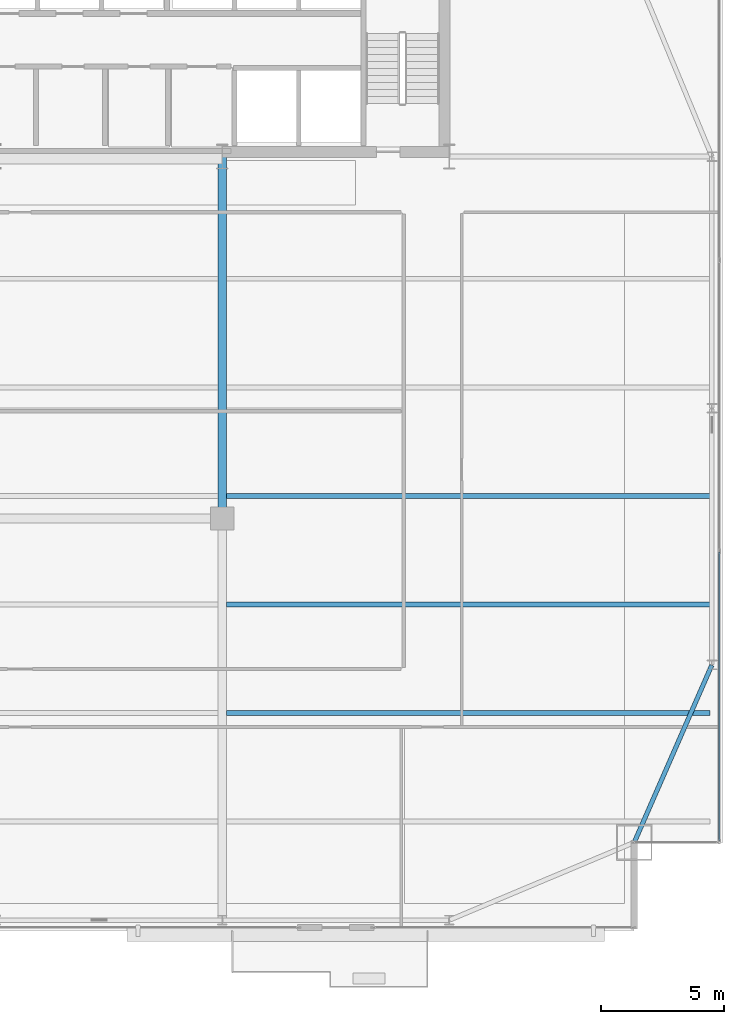
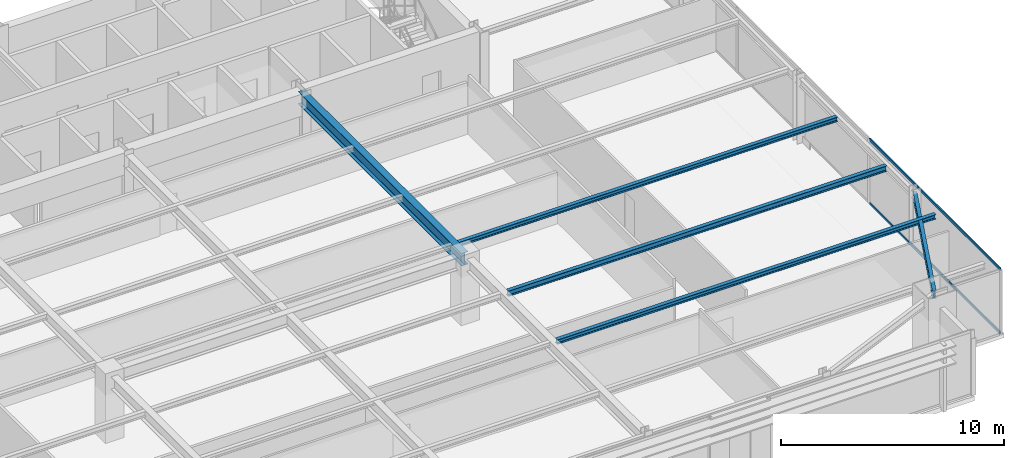
# One storey, part 17 of 34: 5 beams, 2 members, 1 element without a shape of its own.
"""IFC4 building model written with IfcOpenShell, lengths in metres."""

from ifc_helpers import new_model, si_unit, direction, frame, origin, origin_2d, place, context, subcontext, project, spatial, hollow_rectangle, i_section, extrude, source, transform, mapped, material, layer, layer_set, material_profile, profile_set, type_object, type_shapes, element, aggregate, save


model = new_model("IFC4")

# Units and contexts
model_context = context("Model", 3, precision=1e-05, world=origin(), true_north=direction((0.0, 1.0)))
body_context = subcontext(model_context, "Body", "Model", "MODEL_VIEW")
ifc_project = project(units=[si_unit("LENGTHUNIT", "METRE"), si_unit("AREAUNIT", "SQUARE_METRE"), si_unit("VOLUMEUNIT", "CUBIC_METRE"), si_unit("PLANEANGLEUNIT", "RADIAN"), si_unit("MASSUNIT", "GRAM", prefix="KILO")], contexts=[model_context])

# Site, building, storey
site_placement = place(None, origin())
site = spatial("IfcSite", under=ifc_project, at=site_placement, CompositionType="ELEMENT")
building_placement = place(site_placement, origin())
building = spatial("IfcBuilding", under=site, at=building_placement, Name="Varnel Quay Broadcast Tower", CompositionType="ELEMENT")
storey_placement = place(building_placement, frame((0.0, 0.0, 110.60009765625)))
storey = spatial("IfcBuildingStorey", under=building, at=storey_placement, Name="L26", CompositionType="ELEMENT", Elevation=110.60009765625)

# Beams
ifc_material_1 = material(Name="Structural Steel CSA G40.21 350W", Category="steel")
ifc_material_profile_1 = material_profile(ifc_material_1, i_section(OverallWidth=0.180908203125, OverallDepth=0.4169921875, WebThickness=0.010986328125, FlangeThickness=0.018310546875, FilletRadius=0.011962890625, at=origin_2d()), Name="W410X85")
ifc_profile_set_1 = profile_set([ifc_material_profile_1], Name="Structural Steel CSA G40.21 350W")
beam_type_1 = type_object("IfcBeamType", Name="Beam_W410X85", PredefinedType="SPANDREL", material=ifc_profile_set_1)
shared_shape_1 = source(origin(), body_context, "Body", "SweptSolid", [
    extrude(i_section(OverallWidth=0.180908203125, OverallDepth=0.4169921875, WebThickness=0.010986328125, FlangeThickness=0.018310546875, FilletRadius=0.011962890625, at=origin_2d()), origin(), (0.0, 0.0, 1.0), 7.81884765625),
])
type_shapes(beam_type_1, [shared_shape_1])
beam_1_placement = place(storey_placement, frame((59.907958984375, 7.818359375, 3.34130859375), z_axis=(0.400827023998, 0.916153751743, 0.0), x_axis=(-0.916153751743, 0.400827023998, 0.0)))
element("IfcBeam", 1, at=beam_1_placement, inside=storey, type_object=beam_type_1, Name="L26 East Spandrel MC-SE-TC-E1", PredefinedType="SPANDREL", context=body_context, shape_type="MappedRepresentation", body=[
    mapped(shared_shape_1, transform((0.0, 0.0, 0.0), x_axis=(1.0, 0.0, 0.0), y_axis=(0.0, 1.0, 0.0), z_axis=(0.0, 0.0, 1.0), scale=1.0)),
])
ifc_material_profile_2 = material_profile(ifc_material_1, i_section(OverallWidth=0.35498046875, OverallDepth=0.695068359375, WebThickness=0.015380859375, FlangeThickness=0.02490234375, FilletRadius=0.01806640625, at=origin_2d()), Name="W690X217")
ifc_profile_set_2 = profile_set([ifc_material_profile_2], Name="Structural Steel CSA G40.21 350W")
beam_type_2 = type_object("IfcBeamType", Name="Girder_W690X217", PredefinedType="BEAM", material=ifc_profile_set_2)
shared_shape_2 = source(origin(), body_context, "Body", "SweptSolid", [
    extrude(i_section(OverallWidth=0.35498046875, OverallDepth=0.695068359375, WebThickness=0.015380859375, FlangeThickness=0.02490234375, FilletRadius=0.01806640625, at=origin_2d()), origin(), (0.0, 0.0, 1.0), 14.630126953125),
])
type_shapes(beam_type_2, [shared_shape_2])
beam_2_placement = place(storey_placement, frame((43.199951171875, 20.949951171875, 3.202392578125), z_axis=(0.0, 1.0, 0.0), x_axis=(-1.0, 0.0, 0.0)))
element("IfcBeam", 2, at=beam_2_placement, inside=storey, type_object=beam_type_2, Name="L26 Primary Girder IC-02-CC-S4", PredefinedType="BEAM", context=body_context, shape_type="MappedRepresentation", body=[
    mapped(shared_shape_2, transform((0.0, 0.0, 0.0), x_axis=(1.0, 0.0, 0.0), y_axis=(0.0, 1.0, 0.0), z_axis=(0.0, 0.0, 1.0), scale=1.0)),
])
ifc_material_profile_3 = material_profile(ifc_material_1, i_section(OverallWidth=0.202880859375, OverallDepth=0.302978515625, WebThickness=0.007568359375, FlangeThickness=0.01318359375, FilletRadius=0.011962890625, at=origin_2d()), Name="W310X60")
ifc_profile_set_3 = profile_set([ifc_material_profile_3], Name="Structural Steel CSA G40.21 350W")
beam_type_3 = type_object("IfcBeamType", Name="Beam_W310X60", PredefinedType="JOIST", material=ifc_profile_set_3)
shared_shape_3 = source(origin(), body_context, "Body", "SweptSolid", [
    extrude(i_section(OverallWidth=0.202880859375, OverallDepth=0.302978515625, WebThickness=0.007568359375, FlangeThickness=0.01318359375, FilletRadius=0.011962890625, at=origin_2d()), origin(), (0.0, 0.0, 1.0), 19.592041015625),
])
type_shapes(beam_type_3, [shared_shape_3])
beam_3_placement = place(storey_placement, frame((43.37255859375, 17.449951171875, 3.3984375), z_axis=(1.0, 0.0, 0.0), x_axis=(0.0, 1.0, 0.0)))
element("IfcBeam", 3, at=beam_3_placement, inside=storey, type_object=beam_type_3, Name="L26 East Floor Joist 3", PredefinedType="JOIST", context=body_context, shape_type="MappedRepresentation", body=[
    mapped(shared_shape_3, transform((0.0, 0.0, 0.0), x_axis=(1.0, 0.0, 0.0), y_axis=(0.0, 1.0, 0.0), z_axis=(0.0, 0.0, 1.0), scale=1.0)),
])
ifc_material_profile_4 = material_profile(ifc_material_1, i_section(OverallWidth=0.201904296875, OverallDepth=0.2470703125, WebThickness=0.00732421875, FlangeThickness=0.010986328125, FilletRadius=0.010986328125, at=origin_2d()), Name="W250X49")
ifc_profile_set_4 = profile_set([ifc_material_profile_4], Name="Structural Steel CSA G40.21 350W")
beam_type_4 = type_object("IfcBeamType", Name="Beam_W250X49", PredefinedType="JOIST", material=ifc_profile_set_4)
shared_shape_4 = source(origin(), body_context, "Body", "SweptSolid", [
    extrude(i_section(OverallWidth=0.201904296875, OverallDepth=0.2470703125, WebThickness=0.00732421875, FlangeThickness=0.010986328125, FilletRadius=0.010986328125, at=origin_2d()), origin(), (0.0, 0.0, 1.0), 19.592041015625),
])
type_shapes(beam_type_4, [shared_shape_4])
for number, where, z_axis, x_axis, name in (
    (4, (43.37255859375, 13.050048828125, 3.426513671875), (1.0, 0.0, 0.0), (0.0, 1.0, 0.0), "L26 East Floor Joist 2"),
    (5, (43.37255859375, 21.85009765625, 3.426513671875), (1.0, 0.0, 0.0), (0.0, 1.0, 0.0), "L26 East Floor Joist 4"),
):
    element("IfcBeam", number, at=place(storey_placement, frame(where, z_axis=z_axis, x_axis=x_axis)), inside=storey, type_object=beam_type_4, Name=name, PredefinedType="JOIST", context=body_context, shape_type="MappedRepresentation", body=[
        mapped(shared_shape_4, transform((0.0, 0.0, 0.0), x_axis=(1.0, 0.0, 0.0), y_axis=(0.0, 1.0, 0.0), z_axis=(0.0, 0.0, 1.0), scale=1.0)),
    ])

# Curtain wall, members
ifc_material_2 = material(Name="Anodised Bronze Aluminium 6063-T6", Category="aluminium")
ifc_layer = layer(ifc_material_2, 0.18994140625, Name="Anodised Bronze Aluminium 6063-T6")
ifc_layer_set = layer_set([ifc_layer], Name="Anodised Bronze Aluminium 6063-T6")
curtain_wall_type = type_object("IfcCurtainWallType", Name="CW_LowerTower", PredefinedType="NOTDEFINED", material=ifc_layer_set)
curtain_wall_placement = place(storey_placement, origin())
curtain_wall = element("IfcCurtainWall", 6, at=curtain_wall_placement, inside=storey, type_object=curtain_wall_type, Name="L26 East Unitised Curtain Wall", PredefinedType="NOTDEFINED")
ifc_material_profile_5 = material_profile(ifc_material_2, hollow_rectangle(XDim=0.06005859375, YDim=0.14501953125, WallThickness=0.00341796875, at=origin_2d()), Name="ALU60X145X3.5")
ifc_profile_set_5 = profile_set([ifc_material_profile_5], Name="Anodised Bronze Aluminium 6063-T6")
member_type = type_object("IfcMemberType", Name="Tran_CWS-02", PredefinedType="USERDEFINED", material=ifc_profile_set_5)
shared_shape_5 = source(origin(), body_context, "Body", "SweptSolid", [
    extrude(hollow_rectangle(XDim=0.06005859375, YDim=0.14501953125, WallThickness=0.00341796875, at=origin_2d()), origin(), (0.0, 0.0, 1.0), 11.69482421875),
])
type_shapes(member_type, [shared_shape_5])
member_1_placement = place(storey_placement, frame((63.35009765625, 7.8701171875, 0.02978515625), z_axis=(0.0, 1.0, 0.0), x_axis=(-1.0, 0.0, 0.0)))
member_1 = element("IfcMember", 7, at=member_1_placement, type_object=member_type, Name="CWS-02 transom 1.1", ObjectType="TRANSOM", PredefinedType="USERDEFINED", context=body_context, shape_type="MappedRepresentation", body=[
    mapped(shared_shape_5, transform((0.0, 0.0, 0.0), x_axis=(1.0, 0.0, 0.0), y_axis=(0.0, 1.0, 0.0), z_axis=(0.0, 0.0, 1.0), scale=1.0)),
])
member_2_placement = place(storey_placement, frame((63.35009765625, 7.8701171875, 3.52001953125), z_axis=(0.0, 1.0, 0.0), x_axis=(-1.0, 0.0, 0.0)))
member_2 = element("IfcMember", 8, at=member_2_placement, type_object=member_type, Name="CWS-02 transom 1.2", ObjectType="TRANSOM", PredefinedType="USERDEFINED", context=body_context, shape_type="MappedRepresentation", body=[
    mapped(shared_shape_5, transform((0.0, 0.0, 0.0), x_axis=(1.0, 0.0, 0.0), y_axis=(0.0, 1.0, 0.0), z_axis=(0.0, 0.0, 1.0), scale=1.0)),
])
aggregate(curtain_wall, [member_1, member_2])

save(model, "model.ifc")
